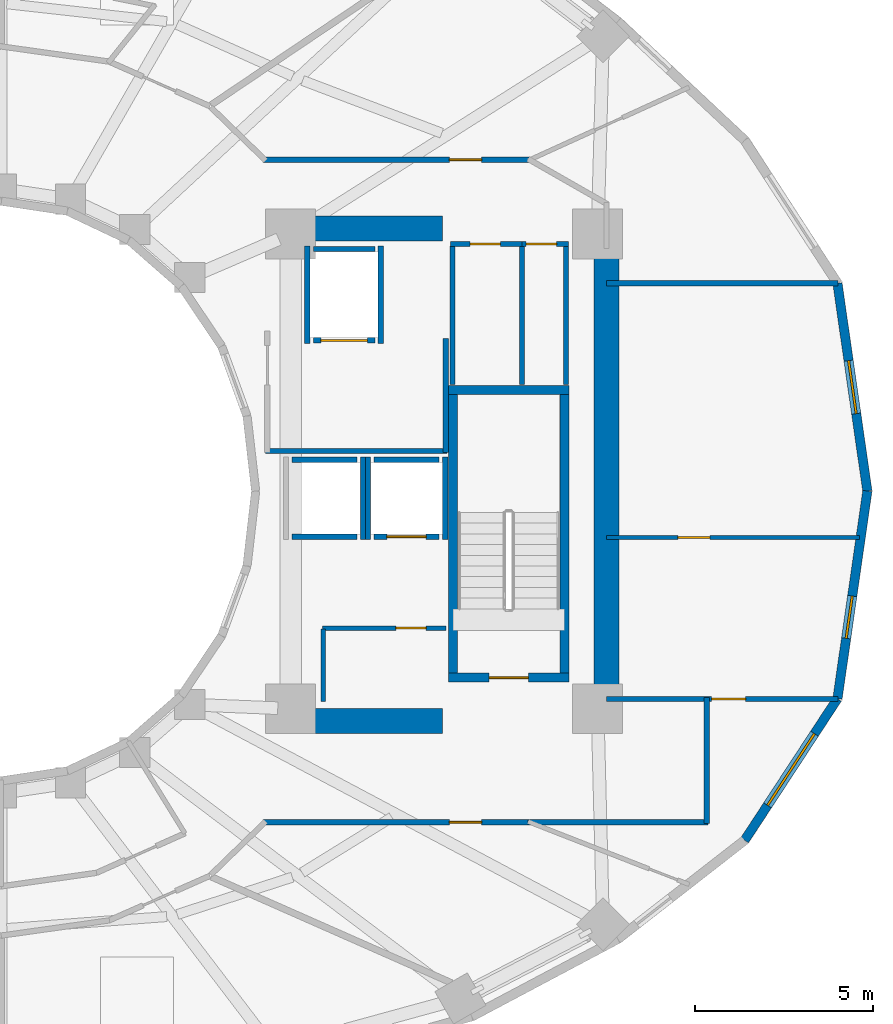
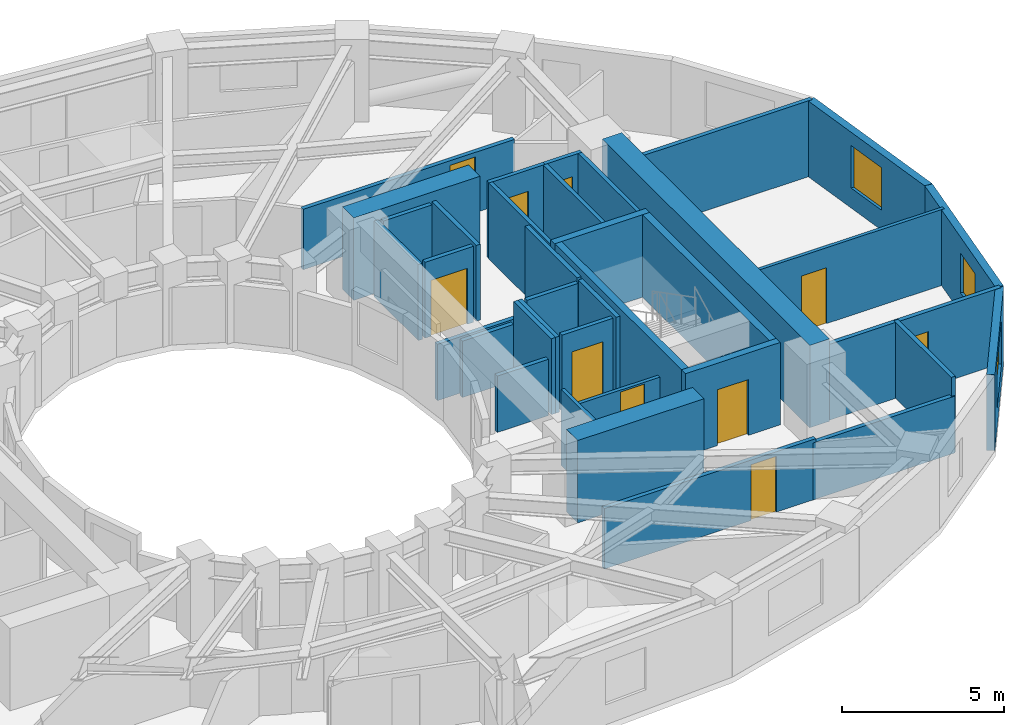
# One storey, part 6 of 9: 37 walls, 10 doors, 3 windows, 13 openings.
"""IFC4 building model written with IfcOpenShell, lengths in metres."""

from ifc_helpers import new_model, si_unit, direction, frame, frame_2d, origin, place, context, subcontext, project, spatial, rectangle, extrude, material, layer, layer_set, type_object, element, fill, save


model = new_model("IFC4")

# Units and contexts
model_context = context("Model", 3, precision=1e-05, world=origin(), true_north=direction((0.0, 1.0)))
body_context = subcontext(model_context, "Body", "Model", "MODEL_VIEW")
ifc_project = project(units=[si_unit("LENGTHUNIT", "METRE"), si_unit("AREAUNIT", "SQUARE_METRE"), si_unit("VOLUMEUNIT", "CUBIC_METRE"), si_unit("PLANEANGLEUNIT", "RADIAN"), si_unit("MASSUNIT", "GRAM", prefix="KILO")], contexts=[model_context])

# Site, building, storey
site_placement = place(None, origin())
site = spatial("IfcSite", under=ifc_project, at=site_placement, CompositionType="ELEMENT")
building_placement = place(site_placement, origin())
building = spatial("IfcBuilding", under=site, at=building_placement, Name="Solvane Sanctuary Tower", CompositionType="ELEMENT")
storey_placement = place(building_placement, frame((0.0, 0.0, 116.60009765625)))
storey = spatial("IfcBuildingStorey", under=building, at=storey_placement, Name="L35", CompositionType="ELEMENT", Elevation=116.60009765625)

# Walls
ifc_material_1 = material(Name="Concrete C60/75", Category="concrete")
ifc_layer_1 = layer(ifc_material_1, 0.699951171875, Name="Concrete C60/75")
ifc_layer_set_1 = layer_set([ifc_layer_1], Name="Concrete C60/75")
wall_type_1 = type_object("IfcWallType", Name="Wall W-CORE-700", PredefinedType="SHEAR", material=ifc_layer_set_1)
wall_1_placement = place(storey_placement, frame((48.949951171875, 17.050048828125, 0.0), z_axis=(0.0, 0.0, 1.0), x_axis=(0.0, 1.0, 0.0)))
element("IfcWall", 1, at=wall_1_placement, inside=storey, type_object=wall_type_1, Name="L35 Core Shear Wall EC-E", PredefinedType="SHEAR", context=body_context, shape_type="SweptSolid", body=[
    extrude(rectangle(XDim=12.800048828125, YDim=0.699951171875, at=frame_2d((6.39990234375, 0.0))), origin(), (0.0, 0.0, 1.0), 3.099853515625),
])
for number, where, z_axis, x_axis, name in (
    (2, (39.85009765625, 16.550048828125, 0.0), (0.0, 0.0, 1.0), (1.0, 0.0, 0.0), "L35 Core Shear Wall EC-S"),
    (3, (39.85009765625, 30.35009765625, 0.0), (0.0, 0.0, 1.0), (1.0, 0.0, 0.0), "L35 Core Shear Wall EC-N"),
):
    element("IfcWall", number, at=place(storey_placement, frame(where, z_axis=z_axis, x_axis=x_axis)), inside=storey, type_object=wall_type_1, Name=name, PredefinedType="SHEAR", context=body_context, shape_type="SweptSolid", body=[
        extrude(rectangle(XDim=4.5, YDim=0.699951171875, at=frame_2d((2.25, 0.0))), origin(), (0.0, 0.0, 1.0), 3.099853515625),
    ])
ifc_material_2 = material(Name="Acoustic Gypsum Partition Board")
ifc_layer_2 = layer(ifc_material_2, 0.14990234375, Name="Acoustic Gypsum Partition Board")
ifc_layer_set_2 = layer_set([ifc_layer_2], Name="Acoustic Gypsum Partition Board")
wall_type_2 = type_object("IfcWallType", Name="Wall W-CORR-150", PredefinedType="PARTITIONING", material=ifc_layer_set_2)
wall_2_placement = place(storey_placement, frame((39.39990234375, 24.1201171875, 0.0), z_axis=(0.0, 0.0, 1.0), x_axis=(1.0, 0.0, 0.0)))
element("IfcWall", 4, at=wall_2_placement, inside=storey, type_object=wall_type_2, Name="L35 East Firefighting Lobby South Wall", PredefinedType="PARTITIONING", context=body_context, shape_type="SweptSolid", body=[
    extrude(rectangle(XDim=5.080078125, YDim=0.14990234375, at=frame_2d((2.5400390625, 0.0))), origin(), (0.0, 0.0, 1.0), 2.119873046875),
])
wall_3_placement = place(storey_placement, frame((44.449951171875, 24.080078125, 0.0), z_axis=(0.0, 0.0, 1.0), x_axis=(0.0, 1.0, 0.0)))
element("IfcWall", 5, at=wall_3_placement, inside=storey, type_object=wall_type_2, Name="L35 East Firefighting Lobby East Wall", PredefinedType="PARTITIONING", context=body_context, shape_type="SweptSolid", body=[
    extrude(rectangle(XDim=3.199951171875, YDim=0.14990234375, at=frame_2d((1.60009765625, 0.0))), origin(), (0.0, 0.0, 1.0), 2.85498046875),
])

# Wall, opening, door
wall_4_placement = place(storey_placement, frame((48.949951171875, 17.1748046875, 0.0), z_axis=(0.0, 0.0, 1.0), x_axis=(1.0, 0.0, 0.0)))
wall_4 = element("IfcWall", 6, at=wall_4_placement, inside=storey, type_object=wall_type_2, Name="L35 East Shoulder South Wall", PredefinedType="PARTITIONING", context=body_context, shape_type="SweptSolid", body=[
    extrude(rectangle(XDim=6.49169921875, YDim=0.14990234375, at=frame_2d((3.245849609375, 0.0))), origin(), (0.0, 0.0, 1.0), 2.85498046875),
])
opening_1_placement = place(wall_4_placement, frame((2.947509765625, 0.0, 0.0)))
opening_1 = element("IfcOpeningElement", 7, at=opening_1_placement, cuts=wall_4, Name="Opening D-L35-14", PredefinedType="OPENING", context=body_context, shape_type="SweptSolid", body=[
    extrude(rectangle(XDim=0.949951171875, YDim=2.10009765625, at=frame_2d((0.47509765625, 1.050048828125))), frame((0.0, 0.0849609375, 0.0), z_axis=(0.0, -1.0, 0.0), x_axis=(1.0, 0.0, 0.0)), (0.0, 0.0, 1.0), 0.169921875),
])
ifc_material_3 = material(Name="Engineered Tropical Hardwood", Category="wood")
door_type_1 = type_object("IfcDoorType", Name="Door D-ROOM-950", OperationType="NOTDEFINED", PredefinedType="DOOR", material=ifc_material_3)
door_1_placement = place(opening_1_placement, origin())
door_1 = element("IfcDoor", 8, at=door_1_placement, inside=storey, type_object=door_type_1, Name="L35 East Shoulder South Door", OperationType="SINGLE_SWING_LEFT", OverallHeight=2.10009765625, OverallWidth=0.949951171875, PredefinedType="DOOR", context=body_context, shape_type="SweptSolid", body=[
    extrude(rectangle(XDim=0.949951171875, YDim=2.10009765625, at=frame_2d((0.47509765625, 1.050048828125))), frame((0.0, 0.02490234375, 0.0), z_axis=(0.0, -1.0, 0.0), x_axis=(1.0, 0.0, 0.0)), (0.0, 0.0, 1.0), 0.050048828125),
])
fill(opening_1, door_1)

# Wall
wall_5_placement = place(storey_placement, frame((48.949951171875, 28.8251953125, 0.0), z_axis=(0.0, 0.0, 1.0), x_axis=(1.0, 0.0, 0.0)))
element("IfcWall", 9, at=wall_5_placement, inside=storey, type_object=wall_type_2, Name="L35 East Shoulder North Wall", PredefinedType="PARTITIONING", context=body_context, shape_type="SweptSolid", body=[
    extrude(rectangle(XDim=6.49169921875, YDim=0.14990234375, at=frame_2d((3.245849609375, 0.0))), origin(), (0.0, 0.0, 1.0), 2.85498046875),
])

# Wall, opening, door
wall_6_placement = place(storey_placement, frame((39.330078125, 32.280029296875, 0.0), z_axis=(0.0, 0.0, 1.0), x_axis=(1.0, 0.0, 0.0)))
wall_6 = element("IfcWall", 10, at=wall_6_placement, inside=storey, type_object=wall_type_2, Name="L35 NE Corner Corridor Wall", PredefinedType="PARTITIONING", context=body_context, shape_type="SweptSolid", body=[
    extrude(rectangle(XDim=7.52001953125, YDim=0.14990234375, at=frame_2d((3.760009765625, 0.0))), origin(), (0.0, 0.0, 1.0), 2.27197265625),
])
opening_2_placement = place(wall_6_placement, frame((5.219970703125, 0.0, 0.0)))
opening_2 = element("IfcOpeningElement", 11, at=opening_2_placement, cuts=wall_6, Name="Opening D-L35-18", PredefinedType="OPENING", context=body_context, shape_type="SweptSolid", body=[
    extrude(rectangle(XDim=0.89990234375, YDim=2.10009765625, at=frame_2d((0.449951171875, 1.050048828125))), frame((0.0, 0.0849609375, 0.0), z_axis=(0.0, -1.0, 0.0), x_axis=(1.0, 0.0, 0.0)), (0.0, 0.0, 1.0), 0.169921875),
])
door_type_2 = type_object("IfcDoorType", Name="Door D-WET-900", OperationType="NOTDEFINED", PredefinedType="DOOR", material=ifc_material_3)
door_2_placement = place(opening_2_placement, origin())
door_2 = element("IfcDoor", 12, at=door_2_placement, inside=storey, type_object=door_type_2, Name="L35 NE Corner Salon Door", OperationType="SINGLE_SWING_LEFT", OverallHeight=2.10009765625, OverallWidth=0.89990234375, PredefinedType="DOOR", context=body_context, shape_type="SweptSolid", body=[
    extrude(rectangle(XDim=0.89990234375, YDim=2.10009765625, at=frame_2d((0.449951171875, 1.050048828125))), frame((0.0, 0.02490234375, 0.0), z_axis=(0.0, -1.0, 0.0), x_axis=(1.0, 0.0, 0.0)), (0.0, 0.0, 1.0), 0.050048828125),
])
fill(opening_2, door_2)

# Wall
wall_7_placement = place(storey_placement, frame((51.760009765625, 13.679931640625, 0.0), z_axis=(0.0, 0.0, 1.0), x_axis=(0.0, 1.0, 0.0)))
element("IfcWall", 13, at=wall_7_placement, inside=storey, type_object=wall_type_2, Name="L35 SE Corner Closer 1", PredefinedType="PARTITIONING", context=body_context, shape_type="SweptSolid", body=[
    extrude(rectangle(XDim=3.534912109375, YDim=0.14990234375, at=frame_2d((1.767578125, 0.0))), origin(), (0.0, 0.0, 1.0), 2.85498046875),
])

# Wall, opening, door
wall_8_placement = place(storey_placement, frame((39.330078125, 13.719970703125, 0.0), z_axis=(0.0, 0.0, 1.0), x_axis=(1.0, 0.0, 0.0)))
wall_8 = element("IfcWall", 14, at=wall_8_placement, inside=storey, type_object=wall_type_2, Name="L35 SE Corner Corridor Wall", PredefinedType="PARTITIONING", context=body_context, shape_type="SweptSolid", body=[
    extrude(rectangle(XDim=7.52001953125, YDim=0.14990234375, at=frame_2d((3.760009765625, 0.0))), origin(), (0.0, 0.0, 1.0), 2.27197265625),
])
opening_3_placement = place(wall_8_placement, frame((5.219970703125, 0.0, 0.0)))
opening_3 = element("IfcOpeningElement", 15, at=opening_3_placement, cuts=wall_8, Name="Opening D-L35-22", PredefinedType="OPENING", context=body_context, shape_type="SweptSolid", body=[
    extrude(rectangle(XDim=0.89990234375, YDim=2.10009765625, at=frame_2d((0.449951171875, 1.050048828125))), frame((0.0, 0.0849609375, 0.0), z_axis=(0.0, -1.0, 0.0), x_axis=(1.0, 0.0, 0.0)), (0.0, 0.0, 1.0), 0.169921875),
])
door_3_placement = place(opening_3_placement, origin())
door_3 = element("IfcDoor", 16, at=door_3_placement, inside=storey, type_object=door_type_2, Name="L35 SE Corner Salon Door", OperationType="SINGLE_SWING_LEFT", OverallHeight=2.10009765625, OverallWidth=0.89990234375, PredefinedType="DOOR", context=body_context, shape_type="SweptSolid", body=[
    extrude(rectangle(XDim=0.89990234375, YDim=2.10009765625, at=frame_2d((0.449951171875, 1.050048828125))), frame((0.0, 0.02490234375, 0.0), z_axis=(0.0, -1.0, 0.0), x_axis=(1.0, 0.0, 0.0)), (0.0, 0.0, 1.0), 0.050048828125),
])
fill(opening_3, door_3)

# Wall
wall_9_placement = place(storey_placement, frame((46.75, 13.719970703125, 0.0), z_axis=(0.0, 0.0, 1.0), x_axis=(1.0, 0.0, 0.0)))
element("IfcWall", 17, at=wall_9_placement, inside=storey, type_object=wall_type_2, Name="L35 SE Corner Wing Wall", PredefinedType="PARTITIONING", context=body_context, shape_type="SweptSolid", body=[
    extrude(rectangle(XDim=5.050048828125, YDim=0.14990234375, at=frame_2d((2.52490234375, 0.0))), origin(), (0.0, 0.0, 1.0), 2.141845703125),
])

# Wall, opening, window
ifc_material_4 = material(Name="Precast concrete C40/50", Category="concrete")
ifc_layer_3 = layer(ifc_material_4, 0.260009765625, Name="Precast concrete C40/50")
ifc_layer_set_3 = layer_set([ifc_layer_3], Name="Precast concrete C40/50")
wall_type_3 = type_object("IfcWallType", Name="Wall W-EXT-250", PredefinedType="STANDARD", material=ifc_layer_set_3)
wall_10_placement = place(storey_placement, frame((56.260009765625, 23.0, 0.0), z_axis=(0.0, 0.0, 1.0), x_axis=(-0.142572472068, 0.98978436551, 0.0)))
wall_10 = element("IfcWall", 18, at=wall_10_placement, inside=storey, type_object=wall_type_3, Name="L35 Ceramic-Printed Facade Wall 00", PredefinedType="STANDARD", context=body_context, shape_type="SweptSolid", body=[
    extrude(rectangle(XDim=5.878662109375, YDim=0.260009765625, at=frame_2d((2.939453125, 0.0))), origin(), (0.0, 0.0, 1.0), 2.849853515625),
])
opening_4_placement = place(wall_10_placement, frame((2.189453125, 0.0, 0.75)))
opening_4 = element("IfcOpeningElement", 19, at=opening_4_placement, cuts=wall_10, Name="Opening WN-OPER-1500", PredefinedType="OPENING", context=body_context, shape_type="SweptSolid", body=[
    extrude(rectangle(XDim=1.5, YDim=1.60009765625, at=frame_2d((0.75, 0.800048828125))), frame((0.0, 0.139892578125, 0.0), z_axis=(0.0, -1.0, 0.0), x_axis=(1.0, 0.0, 0.0)), (0.0, 0.0, 1.0), 0.280029296875),
])
ifc_material_5 = material(Name="Dark Ceramic-Fritted Low-E Glass", Category="glass")
window_type_1 = type_object("IfcWindowType", Name="Window WN-OPER-1500", PartitioningType="SINGLE_PANEL", PredefinedType="WINDOW", material=ifc_material_5)
window_1_placement = place(opening_4_placement, origin())
window_1 = element("IfcWindow", 20, at=window_1_placement, inside=storey, type_object=window_type_1, Name="L35 Operable Facade Window 00", OverallHeight=1.60009765625, OverallWidth=1.5, PartitioningType="SINGLE_PANEL", PredefinedType="WINDOW", context=body_context, shape_type="SweptSolid", body=[
    extrude(rectangle(XDim=1.5, YDim=1.60009765625, at=frame_2d((0.75, 0.800048828125))), frame((0.0, 0.030029296875, 0.0), z_axis=(0.0, -1.0, 0.0), x_axis=(1.0, 0.0, 0.0)), (0.0, 0.0, 1.0), 0.06005859375),
])
fill(opening_4, window_1)

wall_11_placement = place(storey_placement, frame((52.820556640625, 13.213623046875, 0.0), z_axis=(0.0, 0.0, 1.0), x_axis=(0.548283220945, 0.836292717672, 0.0)))
wall_11 = element("IfcWall", 21, at=wall_11_placement, inside=storey, type_object=wall_type_3, Name="L35 Ceramic-Printed Facade Wall 22", PredefinedType="STANDARD", context=body_context, shape_type="SweptSolid", body=[
    extrude(rectangle(XDim=4.744384765625, YDim=0.260009765625, at=frame_2d((2.3720703125, 0.0))), origin(), (0.0, 0.0, 1.0), 2.849853515625),
])
opening_5_placement = place(wall_11_placement, frame((1.172119140625, 0.0, 0.75)))
opening_5 = element("IfcOpeningElement", 22, at=opening_5_placement, cuts=wall_11, Name="Opening WN-RIB-2400", PredefinedType="OPENING", context=body_context, shape_type="SweptSolid", body=[
    extrude(rectangle(XDim=2.39990234375, YDim=1.699951171875, at=frame_2d((1.199951171875, 0.85009765625))), frame((0.0, 0.139892578125, 0.0), z_axis=(0.0, -1.0, 0.0), x_axis=(1.0, 0.0, 0.0)), (0.0, 0.0, 1.0), 0.280029296875),
])
window_type_2 = type_object("IfcWindowType", Name="Window WN-RIB-2400", PartitioningType="SINGLE_PANEL", PredefinedType="WINDOW", material=ifc_material_5)
window_2_placement = place(opening_5_placement, origin())
window_2 = element("IfcWindow", 23, at=window_2_placement, inside=storey, type_object=window_type_2, Name="L35 Operable Facade Window 22", OverallHeight=1.699951171875, OverallWidth=2.39990234375, PartitioningType="SINGLE_PANEL", PredefinedType="WINDOW", context=body_context, shape_type="SweptSolid", body=[
    extrude(rectangle(XDim=2.39990234375, YDim=1.699951171875, at=frame_2d((1.199951171875, 0.85009765625))), frame((0.0, 0.030029296875, 0.0), z_axis=(0.0, -1.0, 0.0), x_axis=(1.0, 0.0, 0.0)), (0.0, 0.0, 1.0), 0.06005859375),
])
fill(opening_5, window_2)

wall_12_placement = place(storey_placement, frame((55.421875, 17.181396484375, 0.0), z_axis=(0.0, 0.0, 1.0), x_axis=(0.142572472068, 0.98978436551, 0.0)))
wall_12 = element("IfcWall", 24, at=wall_12_placement, inside=storey, type_object=wall_type_3, Name="L35 Ceramic-Printed Facade Wall 23", PredefinedType="STANDARD", context=body_context, shape_type="SweptSolid", body=[
    extrude(rectangle(XDim=5.878662109375, YDim=0.260009765625, at=frame_2d((2.939453125, 0.0))), origin(), (0.0, 0.0, 1.0), 2.849853515625),
])
opening_6_placement = place(wall_12_placement, frame((1.707763671875, 0.0, 0.75)))
opening_6 = element("IfcOpeningElement", 25, at=opening_6_placement, cuts=wall_12, Name="Opening WN-OPER-1200", PredefinedType="OPENING", context=body_context, shape_type="SweptSolid", body=[
    extrude(rectangle(XDim=1.199951171875, YDim=1.5, at=frame_2d((0.60009765625, 0.75))), frame((0.0, 0.139892578125, 0.0), z_axis=(0.0, -1.0, 0.0), x_axis=(1.0, 0.0, 0.0)), (0.0, 0.0, 1.0), 0.280029296875),
])
window_type_3 = type_object("IfcWindowType", Name="Window WN-OPER-1200", PartitioningType="SINGLE_PANEL", PredefinedType="WINDOW", material=ifc_material_5)
window_3_placement = place(opening_6_placement, origin())
window_3 = element("IfcWindow", 26, at=window_3_placement, inside=storey, type_object=window_type_3, Name="L35 Operable Facade Window 23", OverallHeight=1.5, OverallWidth=1.199951171875, PartitioningType="SINGLE_PANEL", PredefinedType="WINDOW", context=body_context, shape_type="SweptSolid", body=[
    extrude(rectangle(XDim=1.199951171875, YDim=1.5, at=frame_2d((0.60009765625, 0.75))), frame((0.0, 0.030029296875, 0.0), z_axis=(0.0, -1.0, 0.0), x_axis=(1.0, 0.0, 0.0)), (0.0, 0.0, 1.0), 0.06005859375),
])
fill(opening_6, window_3)

# Wall, opening, door
ifc_layer_4 = layer(ifc_material_2, 0.1201171875, Name="Acoustic Gypsum Partition Board")
ifc_layer_set_4 = layer_set([ifc_layer_4], Name="Acoustic Gypsum Partition Board")
wall_type_4 = type_object("IfcWallType", Name="Wall W-MOV-100", PredefinedType="MOVABLE", material=ifc_layer_set_4)
wall_13_placement = place(storey_placement, frame((48.949951171875, 21.699951171875, 0.0), z_axis=(0.0, 0.0, 1.0), x_axis=(1.0, 0.0, 0.0)))
wall_13 = element("IfcWall", 27, at=wall_13_placement, inside=storey, type_object=wall_type_4, Name="L35 East Suite Partition", PredefinedType="MOVABLE", context=body_context, shape_type="SweptSolid", body=[
    extrude(rectangle(XDim=7.0830078125, YDim=0.1201171875, at=frame_2d((3.54150390625, 0.0))), origin(), (0.0, 0.0, 1.0), 2.85498046875),
])
opening_7_placement = place(wall_13_placement, frame((2.0, 0.0, 0.0)))
opening_7 = element("IfcOpeningElement", 28, at=opening_7_placement, cuts=wall_13, Name="Opening D-L35-15", PredefinedType="OPENING", context=body_context, shape_type="SweptSolid", body=[
    extrude(rectangle(XDim=0.89990234375, YDim=2.10009765625, at=frame_2d((0.449951171875, 1.050048828125))), frame((0.0, 0.070068359375, 0.0), z_axis=(0.0, -1.0, 0.0), x_axis=(1.0, 0.0, 0.0)), (0.0, 0.0, 1.0), 0.14013671875),
])
door_4_placement = place(opening_7_placement, origin())
door_4 = element("IfcDoor", 29, at=door_4_placement, inside=storey, type_object=door_type_2, Name="L35 East Suite Internal Door", OperationType="SINGLE_SWING_RIGHT", OverallHeight=2.10009765625, OverallWidth=0.89990234375, PredefinedType="DOOR", context=body_context, shape_type="SweptSolid", body=[
    extrude(rectangle(XDim=0.89990234375, YDim=2.10009765625, at=frame_2d((0.449951171875, 1.050048828125))), frame((0.0, 0.02490234375, 0.0), z_axis=(0.0, -1.0, 0.0), x_axis=(1.0, 0.0, 0.0)), (0.0, 0.0, 1.0), 0.050048828125),
])
fill(opening_7, door_4)

ifc_layer_5 = layer(ifc_material_2, 0.125, Name="Acoustic Gypsum Partition Board")
ifc_layer_set_5 = layer_set([ifc_layer_5], Name="Acoustic Gypsum Partition Board")
wall_type_5 = type_object("IfcWallType", Name="Wall W-PART-125", PredefinedType="PARTITIONING", material=ifc_layer_set_5)
wall_14_placement = place(storey_placement, frame((41.0, 19.159912109375, 0.0), z_axis=(0.0, 0.0, 1.0), x_axis=(1.0, 0.0, 0.0)))
wall_14 = element("IfcWall", 30, at=wall_14_placement, inside=storey, type_object=wall_type_5, Name="L35 Reclaimed Room Partition PLE", PredefinedType="PARTITIONING", context=body_context, shape_type="SweptSolid", body=[
    extrude(rectangle(XDim=3.449951171875, YDim=0.125, at=frame_2d((1.72509765625, 0.0))), origin(), (0.0, 0.0, 1.0), 2.119873046875),
])
opening_8_placement = place(wall_14_placement, frame((2.050048828125, 0.0, 0.0)))
opening_8 = element("IfcOpeningElement", 31, at=opening_8_placement, cuts=wall_14, Name="Opening D-L35-09", PredefinedType="OPENING", context=body_context, shape_type="SweptSolid", body=[
    extrude(rectangle(XDim=0.85009765625, YDim=2.050048828125, at=frame_2d((0.425048828125, 1.02490234375))), frame((0.0, 0.072509765625, 0.0), z_axis=(0.0, -1.0, 0.0), x_axis=(1.0, 0.0, 0.0)), (0.0, 0.0, 1.0), 0.14501953125),
])
ifc_material_6 = material(Name="Architectural Stainless Steel 316", Category="steel")
door_type_3 = type_object("IfcDoorType", Name="Door D-RISER", OperationType="NOTDEFINED", PredefinedType="DOOR", material=ifc_material_6)
door_5_placement = place(opening_8_placement, origin())
door_5 = element("IfcDoor", 32, at=door_5_placement, inside=storey, type_object=door_type_3, Name="L35 Reclaimed Room Door PLE-1", OperationType="SINGLE_SWING_RIGHT", OverallHeight=2.050048828125, OverallWidth=0.85009765625, PredefinedType="DOOR", context=body_context, shape_type="SweptSolid", body=[
    extrude(rectangle(XDim=0.85009765625, YDim=2.050048828125, at=frame_2d((0.425048828125, 1.02490234375))), frame((0.0, 0.02490234375, 0.0), z_axis=(0.0, -1.0, 0.0), x_axis=(1.0, 0.0, 0.0)), (0.0, 0.0, 1.0), 0.050048828125),
])
fill(opening_8, door_5)

# Wall
wall_15_placement = place(storey_placement, frame((41.02001953125, 17.10009765625, 0.0), z_axis=(0.0, 0.0, 1.0), x_axis=(0.0, 1.0, 0.0)))
element("IfcWall", 33, at=wall_15_placement, inside=storey, type_object=wall_type_5, Name="L35 Reclaimed Room Closer Wall PLE-1", PredefinedType="PARTITIONING", context=body_context, shape_type="SweptSolid", body=[
    extrude(rectangle(XDim=2.039794921875, YDim=0.125, at=frame_2d((1.02001953125, 0.0))), origin(), (0.0, 0.0, 1.0), 2.85498046875),
])

# Wall, opening, door
ifc_material_7 = material(Name="Concrete C50/60", Category="concrete")
ifc_layer_6 = layer(ifc_material_7, 0.14990234375, Name="Concrete C50/60")
ifc_layer_set_6 = layer_set([ifc_layer_6], Name="Concrete C50/60")
wall_type_6 = type_object("IfcWallType", Name="Wall W-SHAFT-150", PredefinedType="SOLIDWALL", material=ifc_layer_set_6)
wall_16_placement = place(storey_placement, frame((42.43994140625, 21.719970703125, 0.0), z_axis=(0.0, 0.0, 1.0), x_axis=(1.0, 0.0, 0.0)))
wall_16 = element("IfcWall", 34, at=wall_16_placement, inside=storey, type_object=wall_type_6, Name="L35 PM-2 Lift Shaft Wall F", PredefinedType="SOLIDWALL", context=body_context, shape_type="SweptSolid", body=[
    extrude(rectangle(XDim=1.820068359375, YDim=0.14990234375, at=frame_2d((0.91015625, 0.0))), origin(), (0.0, 0.0, 1.0), 2.85498046875),
])
opening_9_placement = place(wall_16_placement, frame((0.360107421875, 0.0, 0.0)))
opening_9 = element("IfcOpeningElement", 35, at=opening_9_placement, cuts=wall_16, Name="Opening LD-L35-02", PredefinedType="OPENING", context=body_context, shape_type="SweptSolid", body=[
    extrude(rectangle(XDim=1.10009765625, YDim=2.10009765625, at=frame_2d((0.550048828125, 1.050048828125))), frame((0.0, 0.0849609375, 0.0), z_axis=(0.0, -1.0, 0.0), x_axis=(1.0, 0.0, 0.0)), (0.0, 0.0, 1.0), 0.169921875),
])
door_type_4 = type_object("IfcDoorType", Name="Door LD-PASS-1100", OperationType="NOTDEFINED", PredefinedType="DOOR", material=ifc_material_6)
door_6_placement = place(opening_9_placement, origin())
door_6 = element("IfcDoor", 36, at=door_6_placement, inside=storey, type_object=door_type_4, Name="L35 PM-2 Lift Landing Door", OperationType="DOUBLE_DOOR_SLIDING", OverallHeight=2.10009765625, OverallWidth=1.10009765625, PredefinedType="DOOR", context=body_context, shape_type="SweptSolid", body=[
    extrude(rectangle(XDim=1.10009765625, YDim=2.10009765625, at=frame_2d((0.550048828125, 1.050048828125))), frame((0.0, 0.02490234375, 0.0), z_axis=(0.0, -1.0, 0.0), x_axis=(1.0, 0.0, 0.0)), (0.0, 0.0, 1.0), 0.050048828125),
])
fill(opening_9, door_6)

# Walls
wall_17_placement = place(storey_placement, frame((42.43994140625, 23.8798828125, 0.0), z_axis=(0.0, 0.0, 1.0), x_axis=(1.0, 0.0, 0.0)))
element("IfcWall", 37, at=wall_17_placement, inside=storey, type_object=wall_type_6, Name="L35 PM-2 Lift Shaft Wall B", PredefinedType="SOLIDWALL", context=body_context, shape_type="SweptSolid", body=[
    extrude(rectangle(XDim=1.820068359375, YDim=0.14990234375, at=frame_2d((0.91015625, 0.0))), origin(), (0.0, 0.0, 1.0), 2.85498046875),
])
for number, where, z_axis, x_axis, name in (
    (38, (42.27001953125, 21.639892578125, 0.0), (0.0, 0.0, 1.0), (0.0, 1.0, 0.0), "L35 PM-2 Lift Shaft Wall S1"),
    (39, (44.429931640625, 21.639892578125, 0.0), (0.0, 0.0, 1.0), (0.0, 1.0, 0.0), "L35 PM-2 Lift Shaft Wall S2"),
):
    element("IfcWall", number, at=place(storey_placement, frame(where, z_axis=z_axis, x_axis=x_axis)), inside=storey, type_object=wall_type_6, Name=name, PredefinedType="SOLIDWALL", context=body_context, shape_type="SweptSolid", body=[
        extrude(rectangle(XDim=2.320068359375, YDim=0.14990234375, at=frame_2d((1.16015625, 0.0))), origin(), (0.0, 0.0, 1.0), 2.85498046875),
    ])
for number, where, z_axis, x_axis, name in (
    (40, (40.139892578125, 21.719970703125, 0.0), (0.0, 0.0, 1.0), (1.0, 0.0, 0.0), "L35 PH-2 Lift Shaft Wall F"),
    (41, (40.139892578125, 23.8798828125, 0.0), (0.0, 0.0, 1.0), (1.0, 0.0, 0.0), "L35 PH-2 Lift Shaft Wall B"),
):
    element("IfcWall", number, at=place(storey_placement, frame(where, z_axis=z_axis, x_axis=x_axis)), inside=storey, type_object=wall_type_6, Name=name, PredefinedType="SOLIDWALL", context=body_context, shape_type="SweptSolid", body=[
        extrude(rectangle(XDim=1.820068359375, YDim=0.14990234375, at=frame_2d((0.91015625, 0.0))), origin(), (0.0, 0.0, 1.0), 2.119873046875),
    ])
wall_18_placement = place(storey_placement, frame((42.1298828125, 21.639892578125, 0.0), z_axis=(0.0, 0.0, 1.0), x_axis=(0.0, 1.0, 0.0)))
element("IfcWall", 42, at=wall_18_placement, inside=storey, type_object=wall_type_6, Name="L35 PH-2 Lift Shaft Wall S2", PredefinedType="SOLIDWALL", context=body_context, shape_type="SweptSolid", body=[
    extrude(rectangle(XDim=2.320068359375, YDim=0.14990234375, at=frame_2d((1.16015625, 0.0))), origin(), (0.0, 0.0, 1.0), 2.85498046875),
])

# Wall, opening, door
wall_19_placement = place(storey_placement, frame((40.739990234375, 27.219970703125, 0.0), z_axis=(0.0, 0.0, 1.0), x_axis=(1.0, 0.0, 0.0)))
wall_19 = element("IfcWall", 43, at=wall_19_placement, inside=storey, type_object=wall_type_6, Name="L35 FFL-2 Lift Shaft Wall F", PredefinedType="SOLIDWALL", context=body_context, shape_type="SweptSolid", body=[
    extrude(rectangle(XDim=1.719970703125, YDim=0.14990234375, at=frame_2d((0.85986328125, 0.0))), origin(), (0.0, 0.0, 1.0), 2.85498046875),
])
opening_10_placement = place(wall_19_placement, frame((0.2099609375, 0.0, 0.0)))
opening_10 = element("IfcOpeningElement", 44, at=opening_10_placement, cuts=wall_19, Name="Opening LD-L35-05", PredefinedType="OPENING", context=body_context, shape_type="SweptSolid", body=[
    extrude(rectangle(XDim=1.300048828125, YDim=2.10009765625, at=frame_2d((0.64990234375, 1.050048828125))), frame((0.0, 0.0849609375, 0.0), z_axis=(0.0, -1.0, 0.0), x_axis=(1.0, 0.0, 0.0)), (0.0, 0.0, 1.0), 0.169921875),
])
door_type_5 = type_object("IfcDoorType", Name="Door LD-FFL-1300", OperationType="NOTDEFINED", PredefinedType="DOOR", material=ifc_material_6)
door_7_placement = place(opening_10_placement, origin())
door_7 = element("IfcDoor", 45, at=door_7_placement, inside=storey, type_object=door_type_5, Name="L35 FFL-2 Lift Landing Door", OperationType="DOUBLE_DOOR_SLIDING", OverallHeight=2.10009765625, OverallWidth=1.300048828125, PredefinedType="DOOR", context=body_context, shape_type="SweptSolid", body=[
    extrude(rectangle(XDim=1.300048828125, YDim=2.10009765625, at=frame_2d((0.64990234375, 1.050048828125))), frame((0.0, 0.02490234375, 0.0), z_axis=(0.0, -1.0, 0.0), x_axis=(1.0, 0.0, 0.0)), (0.0, 0.0, 1.0), 0.050048828125),
])
fill(opening_10, door_7)

# Walls
wall_20_placement = place(storey_placement, frame((40.739990234375, 29.780029296875, 0.0), z_axis=(0.0, 0.0, 1.0), x_axis=(1.0, 0.0, 0.0)))
element("IfcWall", 46, at=wall_20_placement, inside=storey, type_object=wall_type_6, Name="L35 FFL-2 Lift Shaft Wall B", PredefinedType="SOLIDWALL", context=body_context, shape_type="SweptSolid", body=[
    extrude(rectangle(XDim=1.719970703125, YDim=0.14990234375, at=frame_2d((0.85986328125, 0.0))), origin(), (0.0, 0.0, 1.0), 2.85498046875),
])
for number, where, z_axis, x_axis, name in (
    (47, (40.570068359375, 27.139892578125, 0.0), (0.0, 0.0, 1.0), (0.0, 1.0, 0.0), "L35 FFL-2 Lift Shaft Wall S1"),
    (48, (42.6298828125, 27.139892578125, 0.0), (0.0, 0.0, 1.0), (0.0, 1.0, 0.0), "L35 FFL-2 Lift Shaft Wall S2"),
):
    element("IfcWall", number, at=place(storey_placement, frame(where, z_axis=z_axis, x_axis=x_axis)), inside=storey, type_object=wall_type_6, Name=name, PredefinedType="SOLIDWALL", context=body_context, shape_type="SweptSolid", body=[
        extrude(rectangle(XDim=2.72021484375, YDim=0.14990234375, at=frame_2d((1.360107421875, 0.0))), origin(), (0.0, 0.0, 1.0), 2.85498046875),
    ])

# Wall, opening, door
ifc_layer_7 = layer(ifc_material_7, 0.25, Name="Concrete C50/60")
ifc_layer_set_7 = layer_set([ifc_layer_7], Name="Concrete C50/60")
wall_type_7 = type_object("IfcWallType", Name="Wall W-SHAFT-250", PredefinedType="SOLIDWALL", material=ifc_layer_set_7)
wall_21_placement = place(storey_placement, frame((44.52490234375, 17.77001953125, 0.0), z_axis=(0.0, 0.0, 1.0), x_axis=(1.0, 0.0, 0.0)))
wall_21 = element("IfcWall", 49, at=wall_21_placement, inside=storey, type_object=wall_type_7, Name="L35 ST-2 Load-Bearing Shaft Wall S", PredefinedType="SOLIDWALL", context=body_context, shape_type="SweptSolid", body=[
    extrude(rectangle(XDim=3.3701171875, YDim=0.25, at=frame_2d((1.68505859375, 0.0))), origin(), (0.0, 0.0, 1.0), 3.099853515625),
])
opening_11_placement = place(wall_21_placement, frame((1.135009765625, 0.0, 0.0)))
opening_11 = element("IfcOpeningElement", 50, at=opening_11_placement, cuts=wall_21, Name="Opening D-L35-04", PredefinedType="OPENING", context=body_context, shape_type="SweptSolid", body=[
    extrude(rectangle(XDim=1.10009765625, YDim=2.10009765625, at=frame_2d((0.550048828125, 1.050048828125))), frame((0.0, 0.135009765625, 0.0), z_axis=(0.0, -1.0, 0.0), x_axis=(1.0, 0.0, 0.0)), (0.0, 0.0, 1.0), 0.27001953125),
])
door_type_6 = type_object("IfcDoorType", Name="Door D-STAIR", OperationType="NOTDEFINED", PredefinedType="DOOR", material=ifc_material_6)
door_8_placement = place(opening_11_placement, origin())
door_8 = element("IfcDoor", 51, at=door_8_placement, inside=storey, type_object=door_type_6, Name="L35 ST-2 Exit Stair Fire Door", OperationType="SINGLE_SWING_RIGHT", OverallHeight=2.10009765625, OverallWidth=1.10009765625, PredefinedType="DOOR", context=body_context, shape_type="SweptSolid", body=[
    extrude(rectangle(XDim=1.10009765625, YDim=2.10009765625, at=frame_2d((0.550048828125, 1.050048828125))), frame((0.0, 0.02490234375, 0.0), z_axis=(0.0, -1.0, 0.0), x_axis=(1.0, 0.0, 0.0)), (0.0, 0.0, 1.0), 0.050048828125),
])
fill(opening_11, door_8)

# Walls
wall_22_placement = place(storey_placement, frame((44.52490234375, 25.830078125, 0.0), z_axis=(0.0, 0.0, 1.0), x_axis=(1.0, 0.0, 0.0)))
element("IfcWall", 52, at=wall_22_placement, inside=storey, type_object=wall_type_7, Name="L35 ST-2 Load-Bearing Shaft Wall N", PredefinedType="SOLIDWALL", context=body_context, shape_type="SweptSolid", body=[
    extrude(rectangle(XDim=3.3701171875, YDim=0.25, at=frame_2d((1.68505859375, 0.0))), origin(), (0.0, 0.0, 1.0), 3.099853515625),
])
for number, where, z_axis, x_axis, name in (
    (53, (44.64990234375, 17.89501953125, 0.0), (0.0, 0.0, 1.0), (0.0, 1.0, 0.0), "L35 ST-2 Load-Bearing Shaft Wall W"),
    (54, (47.77001953125, 17.89501953125, 0.0), (0.0, 0.0, 1.0), (0.0, 1.0, 0.0), "L35 ST-2 Load-Bearing Shaft Wall E"),
):
    element("IfcWall", number, at=place(storey_placement, frame(where, z_axis=z_axis, x_axis=x_axis)), inside=storey, type_object=wall_type_7, Name=name, PredefinedType="SOLIDWALL", context=body_context, shape_type="SweptSolid", body=[
        extrude(rectangle(XDim=7.81005859375, YDim=0.25, at=frame_2d((3.905029296875, 0.0))), origin(), (0.0, 0.0, 1.0), 3.099853515625),
    ])

# Wall, opening, door
ifc_layer_8 = layer(ifc_material_2, 0.139892578125, Name="Acoustic Gypsum Partition Board")
ifc_layer_set_8 = layer_set([ifc_layer_8], Name="Acoustic Gypsum Partition Board")
wall_type_8 = type_object("IfcWallType", Name="Wall W-WET-140", PredefinedType="PLUMBINGWALL", material=ifc_layer_set_8)
wall_23_placement = place(storey_placement, frame((44.580078125, 29.919921875, 0.0), z_axis=(0.0, 0.0, 1.0), x_axis=(1.0, 0.0, 0.0)))
wall_23 = element("IfcWall", 55, at=wall_23_placement, inside=storey, type_object=wall_type_8, Name="L35 Core Service Front Wall KE1", PredefinedType="PLUMBINGWALL", context=body_context, shape_type="SweptSolid", body=[
    extrude(rectangle(XDim=2.0, YDim=0.139892578125, at=frame_2d((1.0, 0.0))), origin(), (0.0, 0.0, 1.0), 2.85498046875),
])
opening_12_placement = place(wall_23_placement, frame((0.550048828125, 0.0, 0.0)))
opening_12 = element("IfcOpeningElement", 56, at=opening_12_placement, cuts=wall_23, Name="Opening D-L35-12", PredefinedType="OPENING", context=body_context, shape_type="SweptSolid", body=[
    extrude(rectangle(XDim=0.85009765625, YDim=2.050048828125, at=frame_2d((0.425048828125, 1.02490234375))), frame((0.0, 0.079833984375, 0.0), z_axis=(0.0, -1.0, 0.0), x_axis=(1.0, 0.0, 0.0)), (0.0, 0.0, 1.0), 0.159912109375),
])
door_9_placement = place(opening_12_placement, origin())
door_9 = element("IfcDoor", 57, at=door_9_placement, inside=storey, type_object=door_type_3, Name="L35 Core Service Room Door KE1-1", OperationType="SINGLE_SWING_LEFT", OverallHeight=2.050048828125, OverallWidth=0.85009765625, PredefinedType="DOOR", context=body_context, shape_type="SweptSolid", body=[
    extrude(rectangle(XDim=0.85009765625, YDim=2.050048828125, at=frame_2d((0.425048828125, 1.02490234375))), frame((0.0, 0.02490234375, 0.0), z_axis=(0.0, -1.0, 0.0), x_axis=(1.0, 0.0, 0.0)), (0.0, 0.0, 1.0), 0.050048828125),
])
fill(opening_12, door_9)

# Walls
for number, where, z_axis, x_axis, name in (
    (58, (44.639892578125, 25.97998046875, 0.0), (0.0, 0.0, 1.0), (0.0, 1.0, 0.0), "L35 Core Service Side Wall KE1-1"),
    (59, (46.580078125, 25.97998046875, 0.0), (0.0, 0.0, 1.0), (0.0, 1.0, 0.0), "L35 Core Service Side Wall KE1-2"),
):
    element("IfcWall", number, at=place(storey_placement, frame(where, z_axis=z_axis, x_axis=x_axis)), inside=storey, type_object=wall_type_8, Name=name, PredefinedType="PLUMBINGWALL", context=body_context, shape_type="SweptSolid", body=[
        extrude(rectangle(XDim=3.880126953125, YDim=0.139892578125, at=frame_2d((1.93994140625, 0.0))), origin(), (0.0, 0.0, 1.0), 2.85498046875),
    ])

# Wall, opening, door
wall_24_placement = place(storey_placement, frame((46.580078125, 29.919921875, 0.0), z_axis=(0.0, 0.0, 1.0), x_axis=(1.0, 0.0, 0.0)))
wall_24 = element("IfcWall", 60, at=wall_24_placement, inside=storey, type_object=wall_type_8, Name="L35 Core Service Front Wall KE2", PredefinedType="PLUMBINGWALL", context=body_context, shape_type="SweptSolid", body=[
    extrude(rectangle(XDim=1.2998046875, YDim=0.139892578125, at=frame_2d((0.64990234375, 0.0))), origin(), (0.0, 0.0, 1.0), 2.85498046875),
])
opening_13_placement = place(wall_24_placement, frame((0.1201171875, 0.0, 0.0)))
opening_13 = element("IfcOpeningElement", 61, at=opening_13_placement, cuts=wall_24, Name="Opening D-L35-13", PredefinedType="OPENING", context=body_context, shape_type="SweptSolid", body=[
    extrude(rectangle(XDim=0.85009765625, YDim=2.050048828125, at=frame_2d((0.425048828125, 1.02490234375))), frame((0.0, 0.079833984375, 0.0), z_axis=(0.0, -1.0, 0.0), x_axis=(1.0, 0.0, 0.0)), (0.0, 0.0, 1.0), 0.159912109375),
])
door_10_placement = place(opening_13_placement, origin())
door_10 = element("IfcDoor", 62, at=door_10_placement, inside=storey, type_object=door_type_3, Name="L35 Core Service Room Door KE2-1", OperationType="SINGLE_SWING_RIGHT", OverallHeight=2.050048828125, OverallWidth=0.85009765625, PredefinedType="DOOR", context=body_context, shape_type="SweptSolid", body=[
    extrude(rectangle(XDim=0.85009765625, YDim=2.050048828125, at=frame_2d((0.425048828125, 1.02490234375))), frame((0.0, 0.02490234375, 0.0), z_axis=(0.0, -1.0, 0.0), x_axis=(1.0, 0.0, 0.0)), (0.0, 0.0, 1.0), 0.050048828125),
])
fill(opening_13, door_10)

# Wall
wall_25_placement = place(storey_placement, frame((47.820068359375, 25.97998046875, 0.0), z_axis=(0.0, 0.0, 1.0), x_axis=(0.0, 1.0, 0.0)))
element("IfcWall", 63, at=wall_25_placement, inside=storey, type_object=wall_type_8, Name="L35 Core Service Side Wall KE2-1", PredefinedType="PLUMBINGWALL", context=body_context, shape_type="SweptSolid", body=[
    extrude(rectangle(XDim=3.880126953125, YDim=0.139892578125, at=frame_2d((1.93994140625, 0.0))), origin(), (0.0, 0.0, 1.0), 2.85498046875),
])

save(model, "model.ifc")
